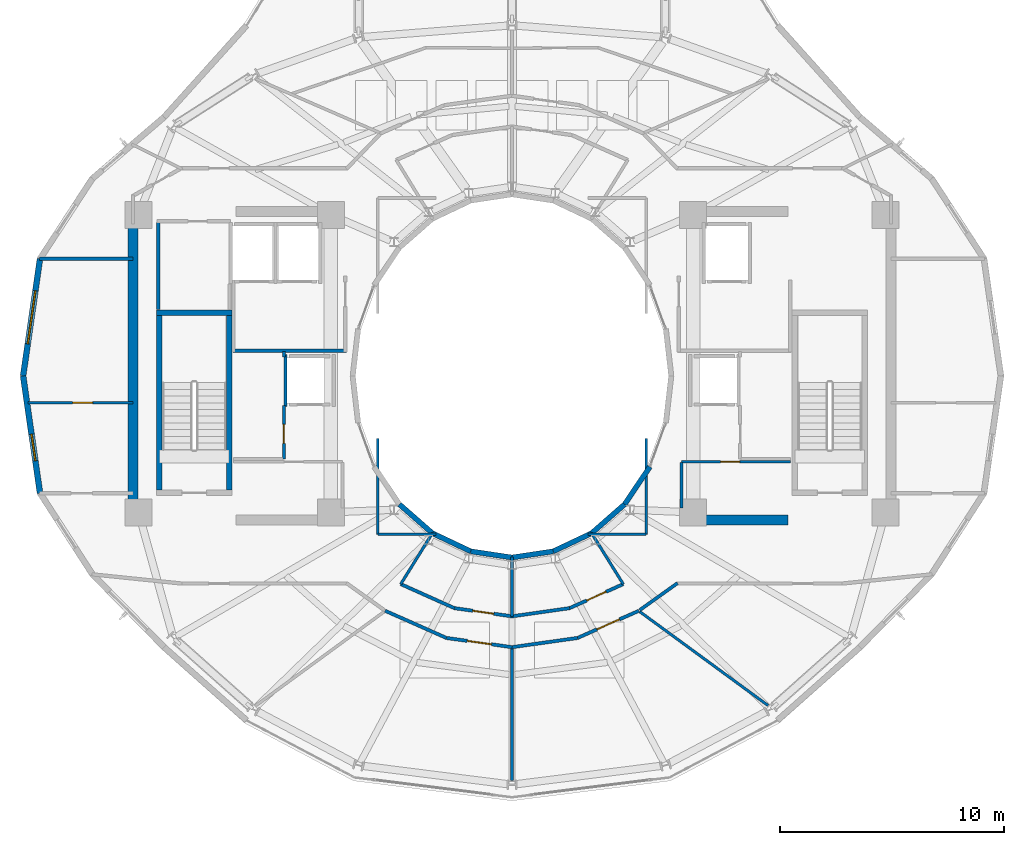
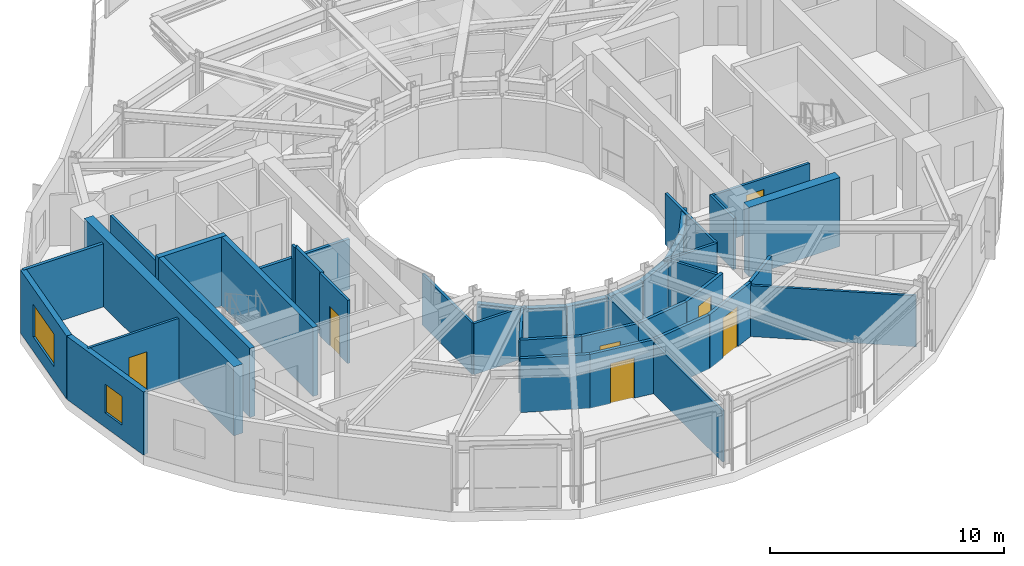
# One storey, part 18 of 25: 41 walls, 7 doors, 2 windows, 9 openings.
"""IFC4 building model written with IfcOpenShell, lengths in metres."""

from ifc_helpers import new_model, si_unit, direction, frame, frame_2d, origin, place, context, subcontext, project, spatial, rectangle, extrude, material, layer, layer_set, type_object, element, fill, save


model = new_model("IFC4")

# Units and contexts
model_context = context("Model", 3, precision=1e-05, world=origin(), true_north=direction((0.0, 1.0)))
body_context = subcontext(model_context, "Body", "Model", "MODEL_VIEW")
ifc_project = project(units=[si_unit("LENGTHUNIT", "METRE"), si_unit("AREAUNIT", "SQUARE_METRE"), si_unit("VOLUMEUNIT", "CUBIC_METRE"), si_unit("PLANEANGLEUNIT", "RADIAN"), si_unit("MASSUNIT", "GRAM", prefix="KILO")], contexts=[model_context])

# Site, building, storey
site_placement = place(None, origin())
site = spatial("IfcSite", under=ifc_project, at=site_placement, CompositionType="ELEMENT")
building_placement = place(site_placement, origin())
building = spatial("IfcBuilding", under=site, at=building_placement, Name="Solvane Sanctuary Tower", CompositionType="ELEMENT")
storey_placement = place(building_placement, frame((0.0, 0.0, 238.800048828125)))
storey = spatial("IfcBuildingStorey", under=building, at=storey_placement, Name="L73", CompositionType="ELEMENT", Elevation=238.800048828125)

# Walls
ifc_material_1 = material(Name="Concrete C50/60", Category="concrete")
ifc_layer_1 = layer(ifc_material_1, 0.449951171875, Name="Concrete C50/60")
ifc_layer_set_1 = layer_set([ifc_layer_1], Name="Concrete C50/60")
wall_type_1 = type_object("IfcWallType", Name="Wall W-CORE-450", PredefinedType="SHEAR", material=ifc_layer_set_1)
wall_1_placement = place(storey_placement, frame((15.050048828125, 17.050048828125, 0.0), z_axis=(0.0, 0.0, 1.0), x_axis=(0.0, 1.0, 0.0)))
element("IfcWall", 1, at=wall_1_placement, inside=storey, type_object=wall_type_1, Name="L73 Core Shear Wall WC-W", PredefinedType="SHEAR", context=body_context, shape_type="SweptSolid", body=[
    extrude(rectangle(XDim=12.800048828125, YDim=0.449951171875, at=frame_2d((6.39990234375, 0.0))), origin(), (0.0, 0.0, 1.0), 3.599853515625),
])
wall_2_placement = place(storey_placement, frame((39.85009765625, 16.550048828125, 0.0), z_axis=(0.0, 0.0, 1.0), x_axis=(1.0, 0.0, 0.0)))
element("IfcWall", 2, at=wall_2_placement, inside=storey, type_object=wall_type_1, Name="L73 Core Shear Wall EC-S", PredefinedType="SHEAR", context=body_context, shape_type="SweptSolid", body=[
    extrude(rectangle(XDim=4.5, YDim=0.449951171875, at=frame_2d((2.25, 0.0))), origin(), (0.0, 0.0, 1.0), 3.599853515625),
])
ifc_material_2 = material(Name="Acoustic Gypsum Partition Board")
ifc_layer_2 = layer(ifc_material_2, 0.14990234375, Name="Acoustic Gypsum Partition Board")
ifc_layer_set_2 = layer_set([ifc_layer_2], Name="Acoustic Gypsum Partition Board")
wall_type_2 = type_object("IfcWallType", Name="Wall W-CORR-150", PredefinedType="PARTITIONING", material=ifc_layer_set_2)
wall_3_placement = place(storey_placement, frame((19.52001953125, 24.1201171875, 0.0), z_axis=(0.0, 0.0, 1.0), x_axis=(1.0, 0.0, 0.0)))
element("IfcWall", 3, at=wall_3_placement, inside=storey, type_object=wall_type_2, Name="L73 West Firefighting Lobby South Wall", PredefinedType="PARTITIONING", context=body_context, shape_type="SweptSolid", body=[
    extrude(rectangle(XDim=5.080078125, YDim=0.14990234375, at=frame_2d((2.5400390625, 0.0))), origin(), (0.0, 0.0, 1.0), 2.619873046875),
])
wall_4_placement = place(storey_placement, frame((27.01904296875, 13.694091796875, 0.0), z_axis=(0.0, 0.0, 1.0), x_axis=(0.912628408652, -0.408790151203, 0.0)))
element("IfcWall", 4, at=wall_4_placement, inside=storey, type_object=wall_type_2, Name="L73 South Light-Well Corridor Wall 1", PredefinedType="PARTITIONING", context=body_context, shape_type="SweptSolid", body=[
    extrude(rectangle(XDim=2.637939453125, YDim=0.14990234375, at=frame_2d((1.31884765625, 0.0))), origin(), (0.0, 0.0, 1.0), 2.81591796875),
])

# Wall, opening, door
wall_5_placement = place(storey_placement, frame((29.423095703125, 12.61669921875, 0.0), z_axis=(0.0, 0.0, 1.0), x_axis=(0.990078185178, -0.140517569133, 0.0)))
wall_5 = element("IfcWall", 5, at=wall_5_placement, inside=storey, type_object=wall_type_2, Name="L73 South Light-Well Corridor Wall 1", PredefinedType="PARTITIONING", context=body_context, shape_type="SweptSolid", body=[
    extrude(rectangle(XDim=2.609619140625, YDim=0.14990234375, at=frame_2d((1.3046875, 0.0))), origin(), (0.0, 0.0, 1.0), 2.81591796875),
])
opening_1_placement = place(wall_5_placement, frame((0.829833984375, 0.0, 0.0)))
opening_1 = element("IfcOpeningElement", 6, at=opening_1_placement, cuts=wall_5, Name="Opening D-L73-12", PredefinedType="OPENING", context=body_context, shape_type="SweptSolid", body=[
    extrude(rectangle(XDim=0.949951171875, YDim=2.10009765625, at=frame_2d((0.47509765625, 1.050048828125))), frame((0.0, 0.0849609375, 0.0), z_axis=(0.0, -1.0, 0.0), x_axis=(1.0, 0.0, 0.0)), (0.0, 0.0, 1.0), 0.169921875),
])
ifc_material_3 = material(Name="Engineered Tropical Hardwood", Category="wood")
door_type_1 = type_object("IfcDoorType", Name="Door D-ROOM-950", OperationType="NOTDEFINED", PredefinedType="DOOR", material=ifc_material_3)
door_1_placement = place(opening_1_placement, origin())
door_1 = element("IfcDoor", 7, at=door_1_placement, inside=storey, type_object=door_type_1, Name="L73 South Light-Well Alcove Door 1", OperationType="SINGLE_SWING_RIGHT", OverallHeight=2.10009765625, OverallWidth=0.949951171875, PredefinedType="DOOR", context=body_context, shape_type="SweptSolid", body=[
    extrude(rectangle(XDim=0.949951171875, YDim=2.10009765625, at=frame_2d((0.47509765625, 1.050048828125))), frame((0.0, 0.02490234375, 0.0), z_axis=(0.0, -1.0, 0.0), x_axis=(1.0, 0.0, 0.0)), (0.0, 0.0, 1.0), 0.050048828125),
])
fill(opening_1, door_1)

# Wall
wall_6_placement = place(storey_placement, frame((31.9931640625, 12.25, 0.0), z_axis=(0.0, 0.0, 1.0), x_axis=(0.990078185178, 0.140517569133, 0.0)))
element("IfcWall", 8, at=wall_6_placement, inside=storey, type_object=wall_type_2, Name="L73 South Light-Well Corridor Wall 2", PredefinedType="PARTITIONING", context=body_context, shape_type="SweptSolid", body=[
    extrude(rectangle(XDim=2.609619140625, YDim=0.14990234375, at=frame_2d((1.3046875, 0.0))), origin(), (0.0, 0.0, 1.0), 2.81591796875),
])

# Wall, opening, door
wall_7_placement = place(storey_placement, frame((34.573486328125, 12.61572265625, 0.0), z_axis=(0.0, 0.0, 1.0), x_axis=(0.912628408652, 0.408790151203, 0.0)))
wall_7 = element("IfcWall", 9, at=wall_7_placement, inside=storey, type_object=wall_type_2, Name="L73 South Light-Well Corridor Wall 2", PredefinedType="PARTITIONING", context=body_context, shape_type="SweptSolid", body=[
    extrude(rectangle(XDim=2.637939453125, YDim=0.14990234375, at=frame_2d((1.31884765625, 0.0))), origin(), (0.0, 0.0, 1.0), 2.81591796875),
])
opening_2_placement = place(wall_7_placement, frame((0.843994140625, 0.0, 0.0)))
opening_2 = element("IfcOpeningElement", 10, at=opening_2_placement, cuts=wall_7, Name="Opening D-L73-13", PredefinedType="OPENING", context=body_context, shape_type="SweptSolid", body=[
    extrude(rectangle(XDim=0.949951171875, YDim=2.10009765625, at=frame_2d((0.47509765625, 1.050048828125))), frame((0.0, 0.0849609375, 0.0), z_axis=(0.0, -1.0, 0.0), x_axis=(1.0, 0.0, 0.0)), (0.0, 0.0, 1.0), 0.169921875),
])
door_2_placement = place(opening_2_placement, origin())
door_2 = element("IfcDoor", 11, at=door_2_placement, inside=storey, type_object=door_type_1, Name="L73 South Light-Well Alcove Door 2", OperationType="SINGLE_SWING_LEFT", OverallHeight=2.10009765625, OverallWidth=0.949951171875, PredefinedType="DOOR", context=body_context, shape_type="SweptSolid", body=[
    extrude(rectangle(XDim=0.949951171875, YDim=2.10009765625, at=frame_2d((0.47509765625, 1.050048828125))), frame((0.0, 0.02490234375, 0.0), z_axis=(0.0, -1.0, 0.0), x_axis=(1.0, 0.0, 0.0)), (0.0, 0.0, 1.0), 0.050048828125),
])
fill(opening_2, door_2)

# Walls
wall_8_placement = place(storey_placement, frame((10.87548828125, 28.245361328125, 0.0), z_axis=(0.0, 0.0, 1.0), x_axis=(1.0, 0.0, 0.0)))
element("IfcWall", 12, at=wall_8_placement, inside=storey, type_object=wall_type_2, Name="L73 West Shoulder North Wall", PredefinedType="PARTITIONING", context=body_context, shape_type="SweptSolid", body=[
    extrude(rectangle(XDim=4.174560546875, YDim=0.14990234375, at=frame_2d((2.08740234375, 0.0))), origin(), (0.0, 0.0, 1.0), 3.294921875),
])
wall_9_placement = place(storey_placement, frame((37.709716796875, 12.527099609375, 0.0), z_axis=(0.0, 0.0, 1.0), x_axis=(0.813780999276, 0.581171648669, 0.0)))
element("IfcWall", 13, at=wall_9_placement, inside=storey, type_object=wall_type_2, Name="L73 SE Corner Throat Wall", PredefinedType="PARTITIONING", context=body_context, shape_type="SweptSolid", body=[
    extrude(rectangle(XDim=2.082275390625, YDim=0.14990234375, at=frame_2d((1.041015625, 0.0))), origin(), (0.0, 0.0, 1.0), 2.81591796875),
])
wall_10_placement = place(storey_placement, frame((26.328125, 12.499267578125, 0.0), z_axis=(0.0, 0.0, 1.0), x_axis=(0.914043013008, -0.4056172708, 0.0)))
element("IfcWall", 14, at=wall_10_placement, inside=storey, type_object=wall_type_2, Name="L73 Sky Promenade Corridor Wall S1", PredefinedType="PARTITIONING", context=body_context, shape_type="SweptSolid", body=[
    extrude(rectangle(XDim=2.999267578125, YDim=0.14990234375, at=frame_2d((1.49951171875, 0.0))), origin(), (0.0, 0.0, 1.0), 2.81591796875),
])

# Wall, opening, door
wall_11_placement = place(storey_placement, frame((29.065673828125, 11.283935546875, 0.0), z_axis=(0.0, 0.0, 1.0), x_axis=(0.990252860391, -0.139281271128, 0.0)))
wall_11 = element("IfcWall", 15, at=wall_11_placement, inside=storey, type_object=wall_type_2, Name="L73 Sky Promenade Corridor Wall S1", PredefinedType="PARTITIONING", context=body_context, shape_type="SweptSolid", body=[
    extrude(rectangle(XDim=2.97119140625, YDim=0.14990234375, at=frame_2d((1.485595703125, 0.0))), origin(), (0.0, 0.0, 1.0), 2.81591796875),
])
opening_3_placement = place(wall_11_placement, frame((0.935546875, 0.0, 0.0)))
opening_3 = element("IfcOpeningElement", 16, at=opening_3_placement, cuts=wall_11, Name="Opening D-L73-26", PredefinedType="OPENING", context=body_context, shape_type="SweptSolid", body=[
    extrude(rectangle(XDim=1.10009765625, YDim=2.10009765625, at=frame_2d((0.550048828125, 1.050048828125))), frame((0.0, 0.0849609375, 0.0), z_axis=(0.0, -1.0, 0.0), x_axis=(1.0, 0.0, 0.0)), (0.0, 0.0, 1.0), 0.169921875),
])
ifc_material_4 = material(Name="Architectural Stainless Steel 316", Category="steel")
door_type_2 = type_object("IfcDoorType", Name="Door D-FFL", OperationType="NOTDEFINED", PredefinedType="DOOR", material=ifc_material_4)
door_3_placement = place(opening_3_placement, origin())
door_3 = element("IfcDoor", 17, at=door_3_placement, inside=storey, type_object=door_type_2, Name="L73 Sky Hall Entrance Door S1", OperationType="SINGLE_SWING_RIGHT", OverallHeight=2.10009765625, OverallWidth=1.10009765625, PredefinedType="DOOR", context=body_context, shape_type="SweptSolid", body=[
    extrude(rectangle(XDim=1.10009765625, YDim=2.10009765625, at=frame_2d((0.550048828125, 1.050048828125))), frame((0.0, 0.02490234375, 0.0), z_axis=(0.0, -1.0, 0.0), x_axis=(1.0, 0.0, 0.0)), (0.0, 0.0, 1.0), 0.050048828125),
])
fill(opening_3, door_3)

# Wall
wall_12_placement = place(storey_placement, frame((31.9921875, 10.8701171875, 0.0), z_axis=(0.0, 0.0, 1.0), x_axis=(0.990252860391, 0.139281271128, 0.0)))
element("IfcWall", 18, at=wall_12_placement, inside=storey, type_object=wall_type_2, Name="L73 Sky Promenade Corridor Wall S2", PredefinedType="PARTITIONING", context=body_context, shape_type="SweptSolid", body=[
    extrude(rectangle(XDim=2.97119140625, YDim=0.14990234375, at=frame_2d((1.485595703125, 0.0))), origin(), (0.0, 0.0, 1.0), 2.81591796875),
])

# Wall, opening, door
wall_13_placement = place(storey_placement, frame((34.930419921875, 11.28271484375, 0.0), z_axis=(0.0, 0.0, 1.0), x_axis=(0.914043013008, 0.4056172708, 0.0)))
wall_13 = element("IfcWall", 19, at=wall_13_placement, inside=storey, type_object=wall_type_2, Name="L73 Sky Promenade Corridor Wall S2", PredefinedType="PARTITIONING", context=body_context, shape_type="SweptSolid", body=[
    extrude(rectangle(XDim=2.999267578125, YDim=0.14990234375, at=frame_2d((1.49951171875, 0.0))), origin(), (0.0, 0.0, 1.0), 2.81591796875),
])
opening_4_placement = place(wall_13_placement, frame((0.949462890625, 0.0, 0.0)))
opening_4 = element("IfcOpeningElement", 20, at=opening_4_placement, cuts=wall_13, Name="Opening D-L73-27", PredefinedType="OPENING", context=body_context, shape_type="SweptSolid", body=[
    extrude(rectangle(XDim=1.10009765625, YDim=2.10009765625, at=frame_2d((0.550048828125, 1.050048828125))), frame((0.0, 0.0849609375, 0.0), z_axis=(0.0, -1.0, 0.0), x_axis=(1.0, 0.0, 0.0)), (0.0, 0.0, 1.0), 0.169921875),
])
door_4_placement = place(opening_4_placement, origin())
door_4 = element("IfcDoor", 21, at=door_4_placement, inside=storey, type_object=door_type_2, Name="L73 Sky Hall Entrance Door S2", OperationType="SINGLE_SWING_LEFT", OverallHeight=2.10009765625, OverallWidth=1.10009765625, PredefinedType="DOOR", context=body_context, shape_type="SweptSolid", body=[
    extrude(rectangle(XDim=1.10009765625, YDim=2.10009765625, at=frame_2d((0.550048828125, 1.050048828125))), frame((0.0, 0.02490234375, 0.0), z_axis=(0.0, -1.0, 0.0), x_axis=(1.0, 0.0, 0.0)), (0.0, 0.0, 1.0), 0.050048828125),
])
fill(opening_4, door_4)

# Wall, opening, window
ifc_material_5 = material(Name="Precast concrete C40/50", Category="concrete")
ifc_layer_3 = layer(ifc_material_5, 0.260009765625, Name="Precast concrete C40/50")
ifc_layer_set_3 = layer_set([ifc_layer_3], Name="Precast concrete C40/50")
wall_type_3 = type_object("IfcWallType", Name="Wall W-EXT-250", PredefinedType="STANDARD", material=ifc_layer_set_3)
wall_14_placement = place(storey_placement, frame((10.895263671875, 28.23876953125, 0.0), z_axis=(0.0, 0.0, 1.0), x_axis=(-0.142712754019, -0.989764148593, 0.0)))
wall_14 = element("IfcWall", 22, at=wall_14_placement, inside=storey, type_object=wall_type_3, Name="L73 Ceramic-Printed Facade Wall 11", PredefinedType="STANDARD", context=body_context, shape_type="SweptSolid", body=[
    extrude(rectangle(XDim=5.29296875, YDim=0.260009765625, at=frame_2d((2.646484375, 0.0))), origin(), (0.0, 0.0, 1.0), 3.2900390625),
])
opening_5_placement = place(wall_14_placement, frame((1.446533203125, 0.0, 0.75)))
opening_5 = element("IfcOpeningElement", 23, at=opening_5_placement, cuts=wall_14, Name="Opening WN-RIB-2400", PredefinedType="OPENING", context=body_context, shape_type="SweptSolid", body=[
    extrude(rectangle(XDim=2.39990234375, YDim=1.699951171875, at=frame_2d((1.199951171875, 0.85009765625))), frame((0.0, 0.139892578125, 0.0), z_axis=(0.0, -1.0, 0.0), x_axis=(1.0, 0.0, 0.0)), (0.0, 0.0, 1.0), 0.280029296875),
])
ifc_material_6 = material(Name="Dark Ceramic-Fritted Low-E Glass", Category="glass")
window_type_1 = type_object("IfcWindowType", Name="Window WN-RIB-2400", PartitioningType="SINGLE_PANEL", PredefinedType="WINDOW", material=ifc_material_6)
window_1_placement = place(opening_5_placement, origin())
window_1 = element("IfcWindow", 24, at=window_1_placement, inside=storey, type_object=window_type_1, Name="L73 Operable Facade Window 11", OverallHeight=1.699951171875, OverallWidth=2.39990234375, PartitioningType="SINGLE_PANEL", PredefinedType="WINDOW", context=body_context, shape_type="SweptSolid", body=[
    extrude(rectangle(XDim=2.39990234375, YDim=1.699951171875, at=frame_2d((1.199951171875, 0.85009765625))), frame((0.0, 0.030029296875, 0.0), z_axis=(0.0, -1.0, 0.0), x_axis=(1.0, 0.0, 0.0)), (0.0, 0.0, 1.0), 0.06005859375),
])
fill(opening_5, window_1)

wall_15_placement = place(storey_placement, frame((10.139892578125, 23.0, 0.0), z_axis=(0.0, 0.0, 1.0), x_axis=(0.142712754019, -0.989764148593, 0.0)))
wall_15 = element("IfcWall", 25, at=wall_15_placement, inside=storey, type_object=wall_type_3, Name="L73 Ceramic-Printed Facade Wall 12", PredefinedType="STANDARD", context=body_context, shape_type="SweptSolid", body=[
    extrude(rectangle(XDim=5.29296875, YDim=0.260009765625, at=frame_2d((2.646484375, 0.0))), origin(), (0.0, 0.0, 1.0), 3.2900390625),
])
opening_6_placement = place(wall_15_placement, frame((2.627685546875, 0.0, 0.75)))
opening_6 = element("IfcOpeningElement", 26, at=opening_6_placement, cuts=wall_15, Name="Opening WN-OPER-1200", PredefinedType="OPENING", context=body_context, shape_type="SweptSolid", body=[
    extrude(rectangle(XDim=1.199951171875, YDim=1.5, at=frame_2d((0.60009765625, 0.75))), frame((0.0, 0.139892578125, 0.0), z_axis=(0.0, -1.0, 0.0), x_axis=(1.0, 0.0, 0.0)), (0.0, 0.0, 1.0), 0.280029296875),
])
window_type_2 = type_object("IfcWindowType", Name="Window WN-OPER-1200", PartitioningType="SINGLE_PANEL", PredefinedType="WINDOW", material=ifc_material_6)
window_2_placement = place(opening_6_placement, origin())
window_2 = element("IfcWindow", 27, at=window_2_placement, inside=storey, type_object=window_type_2, Name="L73 Operable Facade Window 12", OverallHeight=1.5, OverallWidth=1.199951171875, PartitioningType="SINGLE_PANEL", PredefinedType="WINDOW", context=body_context, shape_type="SweptSolid", body=[
    extrude(rectangle(XDim=1.199951171875, YDim=1.5, at=frame_2d((0.60009765625, 0.75))), frame((0.0, 0.030029296875, 0.0), z_axis=(0.0, -1.0, 0.0), x_axis=(1.0, 0.0, 0.0)), (0.0, 0.0, 1.0), 0.06005859375),
])
fill(opening_6, window_2)

# Walls
ifc_layer_4 = layer(ifc_material_5, 0.22998046875, Name="Precast concrete C40/50")
ifc_layer_set_4 = layer_set([ifc_layer_4], Name="Precast concrete C40/50")
wall_type_4 = type_object("IfcWallType", Name="Wall W-EXT-SP220", PredefinedType="STANDARD", material=ifc_layer_set_4)
wall_16_placement = place(storey_placement, frame((26.96533203125, 17.25830078125, 0.0), z_axis=(0.0, 0.0, 1.0), x_axis=(0.752576694707, -0.658504607869, 0.0)))
element("IfcWall", 28, at=wall_16_placement, inside=storey, type_object=wall_type_4, Name="L73 Central Light-Well Wall 15", PredefinedType="STANDARD", context=body_context, shape_type="SweptSolid", body=[
    extrude(rectangle(XDim=1.95947265625, YDim=0.22998046875, at=frame_2d((0.979736328125, 0.0))), origin(), (0.0, 0.0, 1.0), 2.599853515625),
])
wall_17_placement = place(storey_placement, frame((28.43994140625, 15.968017578125, 0.0), z_axis=(0.0, 0.0, 1.0), x_axis=(0.904179699603, -0.427152280606, 0.0)))
element("IfcWall", 29, at=wall_17_placement, inside=storey, type_object=wall_type_4, Name="L73 Central Light-Well Wall 16", PredefinedType="STANDARD", context=body_context, shape_type="SweptSolid", body=[
    extrude(rectangle(XDim=1.899169921875, YDim=0.22998046875, at=frame_2d((0.94970703125, 0.0))), origin(), (0.0, 0.0, 1.0), 2.599853515625),
])
for number, where, z_axis, x_axis, name in (
    (30, (30.1572265625, 15.15673828125, 0.0), (0.0, 0.0, 1.0), (0.988901730308, -0.148571086668, 0.0), "L73 Central Light-Well Wall 17"),
    (31, (32.0, 14.8798828125, 0.0), (0.0, 0.0, 1.0), (0.988901730308, 0.148571086668, 0.0), "L73 Central Light-Well Wall 18"),
):
    element("IfcWall", number, at=place(storey_placement, frame(where, z_axis=z_axis, x_axis=x_axis)), inside=storey, type_object=wall_type_4, Name=name, PredefinedType="STANDARD", context=body_context, shape_type="SweptSolid", body=[
        extrude(rectangle(XDim=1.863525390625, YDim=0.22998046875, at=frame_2d((0.931640625, 0.0))), origin(), (0.0, 0.0, 1.0), 2.599853515625),
    ])
wall_18_placement = place(storey_placement, frame((33.8427734375, 15.15673828125, 0.0), z_axis=(0.0, 0.0, 1.0), x_axis=(0.904179699603, 0.427152280606, 0.0)))
element("IfcWall", 32, at=wall_18_placement, inside=storey, type_object=wall_type_4, Name="L73 Central Light-Well Wall 19", PredefinedType="STANDARD", context=body_context, shape_type="SweptSolid", body=[
    extrude(rectangle(XDim=1.899169921875, YDim=0.22998046875, at=frame_2d((0.94970703125, 0.0))), origin(), (0.0, 0.0, 1.0), 2.599853515625),
])
wall_19_placement = place(storey_placement, frame((35.56005859375, 15.968017578125, 0.0), z_axis=(0.0, 0.0, 1.0), x_axis=(0.752576694707, 0.658504607869, 0.0)))
element("IfcWall", 33, at=wall_19_placement, inside=storey, type_object=wall_type_4, Name="L73 Central Light-Well Wall 20", PredefinedType="STANDARD", context=body_context, shape_type="SweptSolid", body=[
    extrude(rectangle(XDim=1.95947265625, YDim=0.22998046875, at=frame_2d((0.979736328125, 0.0))), origin(), (0.0, 0.0, 1.0), 2.599853515625),
])
wall_20_placement = place(storey_placement, frame((37.03466796875, 17.25830078125, 0.0), z_axis=(0.0, 0.0, 1.0), x_axis=(0.558197800898, 0.829707909492, 0.0)))
element("IfcWall", 34, at=wall_20_placement, inside=storey, type_object=wall_type_4, Name="L73 Central Light-Well Wall 21", PredefinedType="STANDARD", context=body_context, shape_type="SweptSolid", body=[
    extrude(rectangle(XDim=2.02685546875, YDim=0.22998046875, at=frame_2d((1.013427734375, 0.0))), origin(), (0.0, 0.0, 1.0), 2.599853515625),
])

# Wall, opening, door
ifc_layer_5 = layer(ifc_material_2, 0.1201171875, Name="Acoustic Gypsum Partition Board")
ifc_layer_set_5 = layer_set([ifc_layer_5], Name="Acoustic Gypsum Partition Board")
wall_type_5 = type_object("IfcWallType", Name="Wall W-MOV-100", PredefinedType="MOVABLE", material=ifc_layer_set_5)
wall_21_placement = place(storey_placement, frame((10.352783203125, 21.800048828125, 0.0), z_axis=(0.0, 0.0, 1.0), x_axis=(1.0, 0.0, 0.0)))
wall_21 = element("IfcWall", 35, at=wall_21_placement, inside=storey, type_object=wall_type_5, Name="L73 West Suite Partition", PredefinedType="MOVABLE", context=body_context, shape_type="SweptSolid", body=[
    extrude(rectangle(XDim=4.697265625, YDim=0.1201171875, at=frame_2d((2.3486328125, 0.0))), origin(), (0.0, 0.0, 1.0), 3.294921875),
])
opening_7_placement = place(wall_21_placement, frame((2.0, 0.0, 0.0)))
opening_7 = element("IfcOpeningElement", 36, at=opening_7_placement, cuts=wall_21, Name="Opening D-L73-17", PredefinedType="OPENING", context=body_context, shape_type="SweptSolid", body=[
    extrude(rectangle(XDim=0.89990234375, YDim=2.10009765625, at=frame_2d((0.449951171875, 1.050048828125))), frame((0.0, 0.070068359375, 0.0), z_axis=(0.0, -1.0, 0.0), x_axis=(1.0, 0.0, 0.0)), (0.0, 0.0, 1.0), 0.14013671875),
])
door_type_3 = type_object("IfcDoorType", Name="Door D-WET-900", OperationType="NOTDEFINED", PredefinedType="DOOR", material=ifc_material_3)
door_5_placement = place(opening_7_placement, origin())
door_5 = element("IfcDoor", 37, at=door_5_placement, inside=storey, type_object=door_type_3, Name="L73 West Suite Internal Door", OperationType="SINGLE_SWING_LEFT", OverallHeight=2.10009765625, OverallWidth=0.89990234375, PredefinedType="DOOR", context=body_context, shape_type="SweptSolid", body=[
    extrude(rectangle(XDim=0.89990234375, YDim=2.10009765625, at=frame_2d((0.449951171875, 1.050048828125))), frame((0.0, 0.02490234375, 0.0), z_axis=(0.0, -1.0, 0.0), x_axis=(1.0, 0.0, 0.0)), (0.0, 0.0, 1.0), 0.050048828125),
])
fill(opening_7, door_5)

# Walls
wall_22_placement = place(storey_placement, frame((32.0, 10.81494140625, 0.0), z_axis=(0.0, 0.0, 1.0), x_axis=(0.0, -1.0, 0.0)))
element("IfcWall", 38, at=wall_22_placement, inside=storey, type_object=wall_type_5, Name="L73 Sky Hall Radial Partition 270", PredefinedType="MOVABLE", context=body_context, shape_type="SweptSolid", body=[
    extrude(rectangle(XDim=5.89501953125, YDim=0.1201171875, at=frame_2d((2.947509765625, 0.0))), origin(), (0.0, 0.0, 1.0), 2.659912109375),
])
wall_23_placement = place(storey_placement, frame((37.70947265625, 12.462646484375, 0.0), z_axis=(0.0, 0.0, 1.0), x_axis=(0.807095694912, -0.590420646027, 0.0)))
element("IfcWall", 39, at=wall_23_placement, inside=storey, type_object=wall_type_5, Name="L73 Sky Hall Radial Partition 300", PredefinedType="MOVABLE", context=body_context, shape_type="SweptSolid", body=[
    extrude(rectangle(XDim=7.118896484375, YDim=0.1201171875, at=frame_2d((3.5595703125, 0.0))), origin(), (0.0, 0.0, 1.0), 2.659912109375),
])

# Wall, opening, door
ifc_layer_6 = layer(ifc_material_2, 0.125, Name="Acoustic Gypsum Partition Board")
ifc_layer_set_6 = layer_set([ifc_layer_6], Name="Acoustic Gypsum Partition Board")
wall_type_6 = type_object("IfcWallType", Name="Wall W-PART-125", PredefinedType="PARTITIONING", material=ifc_layer_set_6)
wall_24_placement = place(storey_placement, frame((39.580078125, 19.159912109375, 0.0), z_axis=(0.0, 0.0, 1.0), x_axis=(1.0, 0.0, 0.0)))
wall_24 = element("IfcWall", 40, at=wall_24_placement, inside=storey, type_object=wall_type_6, Name="L73 Reclaimed Room Partition PLE", PredefinedType="PARTITIONING", context=body_context, shape_type="SweptSolid", body=[
    extrude(rectangle(XDim=4.869873046875, YDim=0.125, at=frame_2d((2.43505859375, 0.0))), origin(), (0.0, 0.0, 1.0), 2.619873046875),
])
opening_8_placement = place(wall_24_placement, frame((1.748291015625, 0.0, 0.0)))
opening_8 = element("IfcOpeningElement", 41, at=opening_8_placement, cuts=wall_24, Name="Opening D-L73-06", PredefinedType="OPENING", context=body_context, shape_type="SweptSolid", body=[
    extrude(rectangle(XDim=0.85009765625, YDim=2.050048828125, at=frame_2d((0.425048828125, 1.02490234375))), frame((0.0, 0.072509765625, 0.0), z_axis=(0.0, -1.0, 0.0), x_axis=(1.0, 0.0, 0.0)), (0.0, 0.0, 1.0), 0.14501953125),
])
door_type_4 = type_object("IfcDoorType", Name="Door D-RISER", OperationType="NOTDEFINED", PredefinedType="DOOR", material=ifc_material_4)
door_6_placement = place(opening_8_placement, origin())
door_6 = element("IfcDoor", 42, at=door_6_placement, inside=storey, type_object=door_type_4, Name="L73 Reclaimed Room Door PLE-1", OperationType="SINGLE_SWING_RIGHT", OverallHeight=2.050048828125, OverallWidth=0.85009765625, PredefinedType="DOOR", context=body_context, shape_type="SweptSolid", body=[
    extrude(rectangle(XDim=0.85009765625, YDim=2.050048828125, at=frame_2d((0.425048828125, 1.02490234375))), frame((0.0, 0.02490234375, 0.0), z_axis=(0.0, -1.0, 0.0), x_axis=(1.0, 0.0, 0.0)), (0.0, 0.0, 1.0), 0.050048828125),
])
fill(opening_8, door_6)

# Wall
wall_25_placement = place(storey_placement, frame((39.580078125, 17.10009765625, 0.0), z_axis=(0.0, 0.0, 1.0), x_axis=(0.0, 1.0, 0.0)))
element("IfcWall", 43, at=wall_25_placement, inside=storey, type_object=wall_type_6, Name="L73 Reclaimed Room Closer Wall PLE-1", PredefinedType="PARTITIONING", context=body_context, shape_type="SweptSolid", body=[
    extrude(rectangle(XDim=2.039794921875, YDim=0.125, at=frame_2d((1.02001953125, 0.0))), origin(), (0.0, 0.0, 1.0), 2.671875),
])

# Wall, opening, door
wall_26_placement = place(storey_placement, frame((21.800048828125, 19.280029296875, 0.0), z_axis=(0.0, 0.0, 1.0), x_axis=(0.0, 1.0, 0.0)))
wall_26 = element("IfcWall", 44, at=wall_26_placement, inside=storey, type_object=wall_type_6, Name="L73 Reclaimed Room Partition PMW", PredefinedType="PARTITIONING", context=body_context, shape_type="SweptSolid", body=[
    extrude(rectangle(XDim=2.39990234375, YDim=0.125, at=frame_2d((1.199951171875, 0.0))), origin(), (0.0, 0.0, 1.0), 3.294921875),
])
opening_9_placement = place(wall_26_placement, frame((0.699951171875, 0.0, 0.0)))
opening_9 = element("IfcOpeningElement", 45, at=opening_9_placement, cuts=wall_26, Name="Opening D-L73-07", PredefinedType="OPENING", context=body_context, shape_type="SweptSolid", body=[
    extrude(rectangle(XDim=0.85009765625, YDim=2.050048828125, at=frame_2d((0.425048828125, 1.02490234375))), frame((0.0, 0.072509765625, 0.0), z_axis=(0.0, -1.0, 0.0), x_axis=(1.0, 0.0, 0.0)), (0.0, 0.0, 1.0), 0.14501953125),
])
door_7_placement = place(opening_9_placement, origin())
door_7 = element("IfcDoor", 46, at=door_7_placement, inside=storey, type_object=door_type_4, Name="L73 Reclaimed Room Door PMW-1", OperationType="SINGLE_SWING_LEFT", OverallHeight=2.050048828125, OverallWidth=0.85009765625, PredefinedType="DOOR", context=body_context, shape_type="SweptSolid", body=[
    extrude(rectangle(XDim=0.85009765625, YDim=2.050048828125, at=frame_2d((0.425048828125, 1.02490234375))), frame((0.0, 0.02490234375, 0.0), z_axis=(0.0, -1.0, 0.0), x_axis=(1.0, 0.0, 0.0)), (0.0, 0.0, 1.0), 0.050048828125),
])
fill(opening_9, door_7)

# Walls
wall_27_placement = place(storey_placement, frame((21.800048828125, 23.85009765625, 0.0), z_axis=(0.0, 0.0, 1.0), x_axis=(0.0, 1.0, 0.0)))
element("IfcWall", 47, at=wall_27_placement, inside=storey, type_object=wall_type_6, Name="L73 Reclaimed Room Dividing Wall PMW", PredefinedType="PARTITIONING", context=body_context, shape_type="SweptSolid", body=[
    extrude(rectangle(XDim=0.25, YDim=0.125, at=frame_2d((0.125, 0.0))), origin(), (0.0, 0.0, 1.0), 3.294921875),
])
wall_28_placement = place(storey_placement, frame((28.449951171875, 15.985107421875, 0.0), z_axis=(0.0, 0.0, 1.0), x_axis=(-0.527527080983, -0.849538215049, 0.0)))
element("IfcWall", 48, at=wall_28_placement, inside=storey, type_object=wall_type_6, Name="L73 South Light-Well Radial Wall 240", PredefinedType="PARTITIONING", context=body_context, shape_type="SweptSolid", body=[
    extrude(rectangle(XDim=2.701416015625, YDim=0.125, at=frame_2d((1.3505859375, 0.0))), origin(), (0.0, 0.0, 1.0), 2.671875),
])
wall_29_placement = place(storey_placement, frame((32.0, 14.89990234375, 0.0), z_axis=(0.0, 0.0, 1.0), x_axis=(0.0, -1.0, 0.0)))
element("IfcWall", 49, at=wall_29_placement, inside=storey, type_object=wall_type_6, Name="L73 South Light-Well Radial Wall 270", PredefinedType="PARTITIONING", context=body_context, shape_type="SweptSolid", body=[
    extrude(rectangle(XDim=2.64990234375, YDim=0.125, at=frame_2d((1.324951171875, 0.0))), origin(), (0.0, 0.0, 1.0), 2.671875),
])
wall_30_placement = place(storey_placement, frame((35.550048828125, 15.985107421875, 0.0), z_axis=(0.0, 0.0, 1.0), x_axis=(0.527527080983, -0.849538215049, 0.0)))
element("IfcWall", 50, at=wall_30_placement, inside=storey, type_object=wall_type_6, Name="L73 South Light-Well Radial Wall 300", PredefinedType="PARTITIONING", context=body_context, shape_type="SweptSolid", body=[
    extrude(rectangle(XDim=2.701416015625, YDim=0.125, at=frame_2d((1.3505859375, 0.0))), origin(), (0.0, 0.0, 1.0), 2.671875),
])
wall_31_placement = place(storey_placement, frame((26.0, 15.919921875, 0.0), z_axis=(0.0, 0.0, 1.0), x_axis=(0.0, 1.0, 0.0)))
element("IfcWall", 51, at=wall_31_placement, inside=storey, type_object=wall_type_6, Name="L73 Bridge Alcove Wall 5", PredefinedType="PARTITIONING", context=body_context, shape_type="SweptSolid", body=[
    extrude(rectangle(XDim=4.280029296875, YDim=0.125, at=frame_2d((2.14013671875, 0.0))), origin(), (0.0, 0.0, 1.0), 2.671875),
])
wall_32_placement = place(storey_placement, frame((26.0, 15.919921875, 0.0), z_axis=(0.0, 0.0, 1.0), x_axis=(1.0, 0.0, 0.0)))
element("IfcWall", 52, at=wall_32_placement, inside=storey, type_object=wall_type_6, Name="L73 Bridge Alcove Wall 6", PredefinedType="PARTITIONING", context=body_context, shape_type="SweptSolid", body=[
    extrude(rectangle(XDim=2.60009765625, YDim=0.125, at=frame_2d((1.300048828125, 0.0))), origin(), (0.0, 0.0, 1.0), 2.671875),
])
wall_33_placement = place(storey_placement, frame((38.0, 15.919921875, 0.0), z_axis=(0.0, 0.0, 1.0), x_axis=(0.0, 1.0, 0.0)))
element("IfcWall", 53, at=wall_33_placement, inside=storey, type_object=wall_type_6, Name="L73 Bridge Alcove Wall 7", PredefinedType="PARTITIONING", context=body_context, shape_type="SweptSolid", body=[
    extrude(rectangle(XDim=4.280029296875, YDim=0.125, at=frame_2d((2.14013671875, 0.0))), origin(), (0.0, 0.0, 1.0), 2.671875),
])
wall_34_placement = place(storey_placement, frame((35.39990234375, 15.919921875, 0.0), z_axis=(0.0, 0.0, 1.0), x_axis=(1.0, 0.0, 0.0)))
element("IfcWall", 54, at=wall_34_placement, inside=storey, type_object=wall_type_6, Name="L73 Bridge Alcove Wall 8", PredefinedType="PARTITIONING", context=body_context, shape_type="SweptSolid", body=[
    extrude(rectangle(XDim=2.60009765625, YDim=0.125, at=frame_2d((1.300048828125, 0.0))), origin(), (0.0, 0.0, 1.0), 2.671875),
])
ifc_layer_7 = layer(ifc_material_1, 0.14990234375, Name="Concrete C50/60")
ifc_layer_set_7 = layer_set([ifc_layer_7], Name="Concrete C50/60")
wall_type_7 = type_object("IfcWallType", Name="Wall W-SHAFT-150", PredefinedType="SOLIDWALL", material=ifc_layer_set_7)
wall_35_placement = place(storey_placement, frame((21.8701171875, 21.639892578125, 0.0), z_axis=(0.0, 0.0, 1.0), x_axis=(0.0, 1.0, 0.0)))
element("IfcWall", 55, at=wall_35_placement, inside=storey, type_object=wall_type_7, Name="L73 PH-1 Lift Shaft Wall S1", PredefinedType="SOLIDWALL", context=body_context, shape_type="SweptSolid", body=[
    extrude(rectangle(XDim=2.320068359375, YDim=0.14990234375, at=frame_2d((1.16015625, 0.0))), origin(), (0.0, 0.0, 1.0), 3.294921875),
])
ifc_layer_8 = layer(ifc_material_1, 0.25, Name="Concrete C50/60")
ifc_layer_set_8 = layer_set([ifc_layer_8], Name="Concrete C50/60")
wall_type_8 = type_object("IfcWallType", Name="Wall W-SHAFT-250", PredefinedType="SOLIDWALL", material=ifc_layer_set_8)
wall_36_placement = place(storey_placement, frame((16.10498046875, 25.830078125, 0.0), z_axis=(0.0, 0.0, 1.0), x_axis=(1.0, 0.0, 0.0)))
element("IfcWall", 56, at=wall_36_placement, inside=storey, type_object=wall_type_8, Name="L73 ST-1 Load-Bearing Shaft Wall N", PredefinedType="SOLIDWALL", context=body_context, shape_type="SweptSolid", body=[
    extrude(rectangle(XDim=3.3701171875, YDim=0.25, at=frame_2d((1.68505859375, 0.0))), origin(), (0.0, 0.0, 1.0), 3.599853515625),
])
for number, where, z_axis, x_axis, name in (
    (57, (16.22998046875, 17.89501953125, 0.0), (0.0, 0.0, 1.0), (0.0, 1.0, 0.0), "L73 ST-1 Load-Bearing Shaft Wall W"),
    (58, (19.35009765625, 17.89501953125, 0.0), (0.0, 0.0, 1.0), (0.0, 1.0, 0.0), "L73 ST-1 Load-Bearing Shaft Wall E"),
):
    element("IfcWall", number, at=place(storey_placement, frame(where, z_axis=z_axis, x_axis=x_axis)), inside=storey, type_object=wall_type_8, Name=name, PredefinedType="SOLIDWALL", context=body_context, shape_type="SweptSolid", body=[
        extrude(rectangle(XDim=7.81005859375, YDim=0.25, at=frame_2d((3.905029296875, 0.0))), origin(), (0.0, 0.0, 1.0), 3.599853515625),
    ])
ifc_layer_9 = layer(ifc_material_2, 0.139892578125, Name="Acoustic Gypsum Partition Board")
ifc_layer_set_9 = layer_set([ifc_layer_9], Name="Acoustic Gypsum Partition Board")
wall_type_9 = type_object("IfcWallType", Name="Wall W-WET-140", PredefinedType="PLUMBINGWALL", material=ifc_layer_set_9)
wall_37_placement = place(storey_placement, frame((16.179931640625, 25.97998046875, 0.0), z_axis=(0.0, 0.0, 1.0), x_axis=(0.0, 1.0, 0.0)))
element("IfcWall", 59, at=wall_37_placement, inside=storey, type_object=wall_type_9, Name="L73 Core Service Side Wall KW0-1", PredefinedType="PLUMBINGWALL", context=body_context, shape_type="SweptSolid", body=[
    extrude(rectangle(XDim=3.880126953125, YDim=0.139892578125, at=frame_2d((1.93994140625, 0.0))), origin(), (0.0, 0.0, 1.0), 3.294921875),
])

save(model, "model.ifc")
